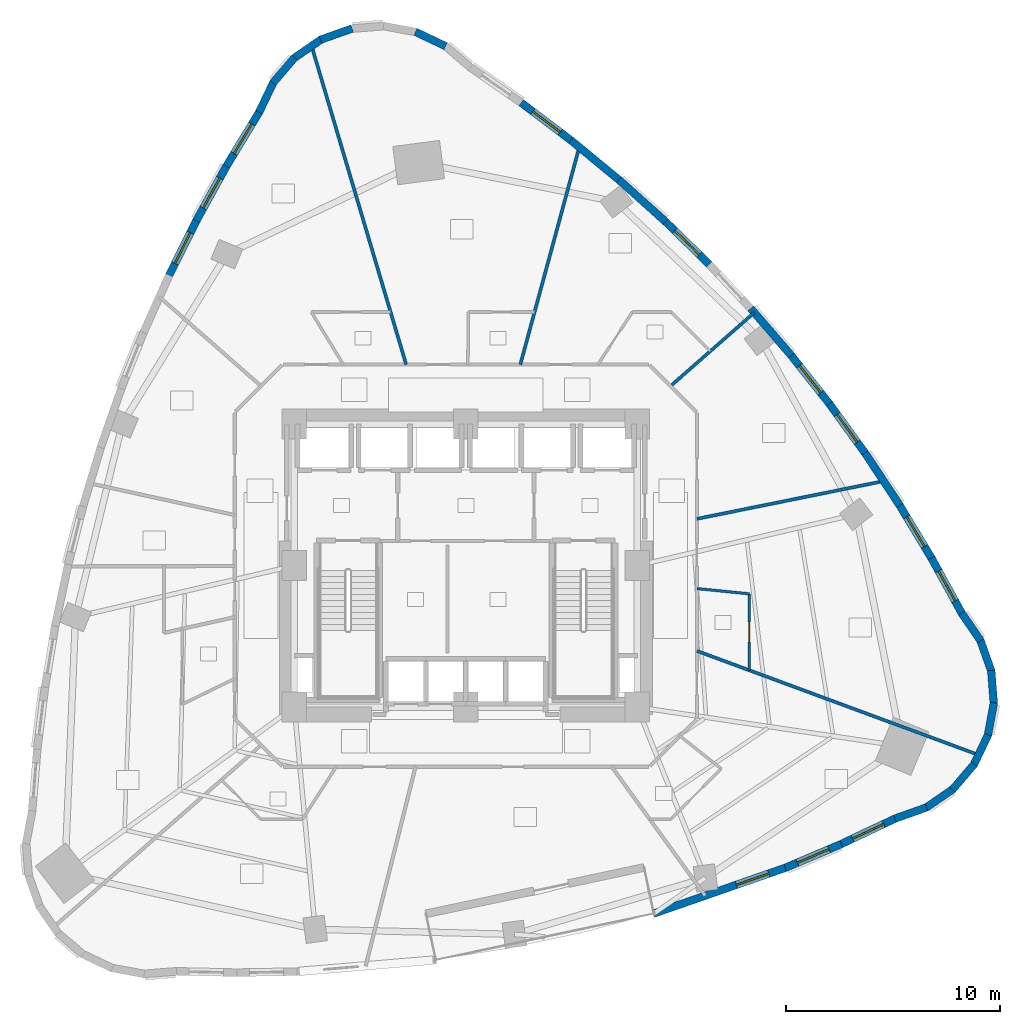
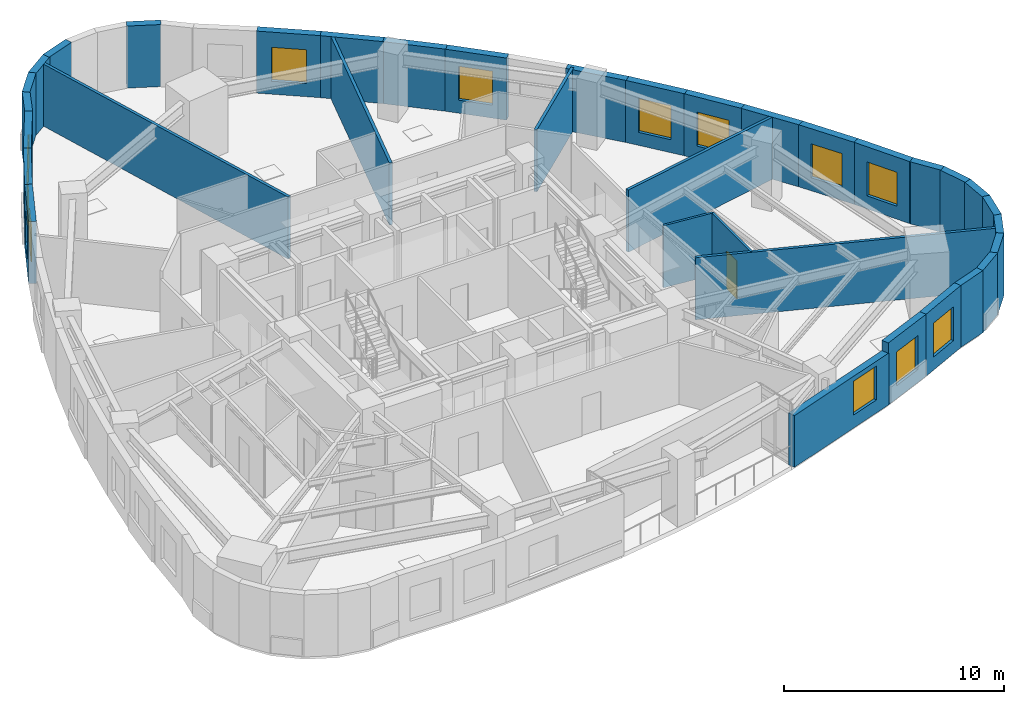
# One storey, part 8 of 12: 36 walls, 12 windows, 1 door, 13 openings.
"""IFC4 building model written with IfcOpenShell, lengths in metres."""

from ifc_helpers import new_model, si_unit, direction, frame, frame_2d, origin, place, context, subcontext, project, spatial, rectangle, extrude, material, layer, layer_set, type_object, element, fill, save


model = new_model("IFC4")

# Units and contexts
model_context = context("Model", 3, precision=1e-05, world=origin(), true_north=direction((0.0, 1.0)))
body_context = subcontext(model_context, "Body", "Model", "MODEL_VIEW")
ifc_project = project(units=[si_unit("LENGTHUNIT", "METRE"), si_unit("AREAUNIT", "SQUARE_METRE"), si_unit("VOLUMEUNIT", "CUBIC_METRE"), si_unit("PLANEANGLEUNIT", "RADIAN"), si_unit("MASSUNIT", "GRAM", prefix="KILO")], contexts=[model_context])

# Site, building, storey
site_placement = place(None, origin())
site = spatial("IfcSite", under=ifc_project, at=site_placement, CompositionType="ELEMENT")
building_placement = place(site_placement, origin())
building = spatial("IfcBuilding", under=site, at=building_placement, Name="Ndelora Gate Hotel", CompositionType="ELEMENT")
storey_placement = place(building_placement, frame((0.0, 0.0, 79.25)))
storey = spatial("IfcBuildingStorey", under=building, at=storey_placement, Name="L19", CompositionType="ELEMENT", Elevation=79.25)

# Walls
ifc_material_1 = material(Name="Clay Brick Masonry", Category="masonry")
ifc_layer_1 = layer(ifc_material_1, 0.360107421875)
ifc_layer_set_1 = layer_set([ifc_layer_1], Name="Clay Brick Masonry")
wall_type_1 = type_object("IfcWallType", Name="WL-BRICK-360", PredefinedType="SOLIDWALL", material=ifc_layer_set_1)
for number, where, z_axis, x_axis, name in (
    (1, (-2.3486328125, 24.90185546875, 0.0), (0.0, 0.0, 1.0), (0.902606480138, -0.430466656099, 0.0), "L19 Tower Brick Pier-and-Spandrel Wall TWR-2"),
    (2, (-6.77490234375, 24.534423828125, 0.0), (0.0, 0.0, 1.0), (0.942618014803, 0.333873146823, 0.0), "L19 Tower Brick Pier-and-Spandrel Wall TWR-5"),
    (3, (-8.019775390625, 23.6708984375, 0.0), (0.0, 0.0, 1.0), (0.824114783412, 0.56642283125, 0.0), "L19 Tower Brick Pier-and-Spandrel Wall TWR-6"),
):
    element("IfcWall", number, at=place(storey_placement, frame(where, z_axis=z_axis, x_axis=x_axis)), inside=storey, type_object=wall_type_1, Name=name, PredefinedType="SOLIDWALL", context=body_context, shape_type="SweptSolid", body=[
        extrude(rectangle(XDim=1.564208984375, YDim=0.360107421875, at=frame_2d((0.7822265625, 0.0))), origin(), (0.0, 0.0, 1.0), 3.43994140625),
    ])
wall_1_placement = place(storey_placement, frame((-8.998779296875, 22.514892578125, 0.0), z_axis=(0.0, 0.0, 1.0), x_axis=(0.649517813113, 0.760346375312, 0.0)))
element("IfcWall", 4, at=wall_1_placement, inside=storey, type_object=wall_type_1, Name="L19 Tower Brick Pier-and-Spandrel Wall TWR-7", PredefinedType="SOLIDWALL", context=body_context, shape_type="SweptSolid", body=[
    extrude(rectangle(XDim=1.56396484375, YDim=0.360107421875, at=frame_2d((0.781982421875, 0.0))), origin(), (0.0, 0.0, 1.0), 3.43994140625),
])
wall_2_placement = place(storey_placement, frame((-9.645263671875, 21.144775390625, 0.0), z_axis=(0.0, 0.0, 1.0), x_axis=(0.43065446152, 0.902516888913, 0.0)))
element("IfcWall", 5, at=wall_2_placement, inside=storey, type_object=wall_type_1, Name="L19 Tower Brick Pier-and-Spandrel Wall TWR-8", PredefinedType="SOLIDWALL", context=body_context, shape_type="SweptSolid", body=[
    extrude(rectangle(XDim=1.564208984375, YDim=0.360107421875, at=frame_2d((0.7822265625, 0.0))), origin(), (0.0, 0.0, 1.0), 3.43994140625),
])

# Wall, opening, window
wall_3_placement = place(storey_placement, frame((-11.170166015625, 18.634521484375, 0.0), z_axis=(0.0, 0.0, 1.0), x_axis=(0.518504575646, 0.855074853469, 0.0)))
wall_3 = element("IfcWall", 6, at=wall_3_placement, inside=storey, type_object=wall_type_1, Name="L19 Tower Brick Pier-and-Spandrel Wall TWR-9", PredefinedType="SOLIDWALL", context=body_context, shape_type="SweptSolid", body=[
    extrude(rectangle(XDim=2.987060546875, YDim=0.360107421875, at=frame_2d((1.49365234375, 0.0))), origin(), (0.0, 0.0, 1.0), 3.43994140625),
])
opening_1_placement = place(wall_3_placement, frame((0.693603515625, 0.0, 0.719970703125)))
opening_1 = element("IfcOpeningElement", 7, at=opening_1_placement, cuts=wall_3, Name="Opening W03", PredefinedType="OPENING", context=body_context, shape_type="SweptSolid", body=[
    extrude(rectangle(XDim=1.60009765625, YDim=1.8798828125, at=frame_2d((0.800048828125, 0.93994140625))), frame((0.0, 0.18994140625, 0.0), z_axis=(0.0, -1.0, 0.0), x_axis=(1.0, 0.0, 0.0)), (0.0, 0.0, 1.0), 0.380126953125),
])
ifc_material_2 = material(Name="Insulated Low-E Double Glazing in Bronze Aluminium Frame", Category="aluminium")
window_type_1 = type_object("IfcWindowType", Name="WN-CORN-2100", PartitioningType="SINGLE_PANEL", PredefinedType="WINDOW", material=ifc_material_2)
window_1_placement = place(opening_1_placement, origin())
window_1 = element("IfcWindow", 8, at=window_1_placement, inside=storey, type_object=window_type_1, Name="L19 Deep-Set Brick-Pier Window W03", OverallHeight=1.8798828125, OverallWidth=1.60009765625, PartitioningType="SINGLE_PANEL", PredefinedType="WINDOW", context=body_context, shape_type="SweptSolid", body=[
    extrude(rectangle(XDim=1.60009765625, YDim=1.8798828125, at=frame_2d((0.800048828125, 0.93994140625))), frame((0.0, 0.030029296875, 0.0), z_axis=(0.0, -1.0, 0.0), x_axis=(1.0, 0.0, 0.0)), (0.0, 0.0, 1.0), 0.06005859375),
])
fill(opening_1, window_1)

wall_4_placement = place(storey_placement, frame((-12.575927734375, 16.0849609375, 0.0), z_axis=(0.0, 0.0, 1.0), x_axis=(0.483184128778, 0.875518759192, 0.0)))
wall_4 = element("IfcWall", 9, at=wall_4_placement, inside=storey, type_object=wall_type_1, Name="L19 Tower Brick Pier-and-Spandrel Wall TWR-10", PredefinedType="SOLIDWALL", context=body_context, shape_type="SweptSolid", body=[
    extrude(rectangle(XDim=2.96142578125, YDim=0.360107421875, at=frame_2d((1.480712890625, 0.0))), origin(), (0.0, 0.0, 1.0), 3.43994140625),
])
opening_2_placement = place(wall_4_placement, frame((0.6806640625, 0.0, 0.719970703125)))
opening_2 = element("IfcOpeningElement", 10, at=opening_2_placement, cuts=wall_4, Name="Opening W01", PredefinedType="OPENING", context=body_context, shape_type="SweptSolid", body=[
    extrude(rectangle(XDim=1.60009765625, YDim=1.8798828125, at=frame_2d((0.800048828125, 0.93994140625))), frame((0.0, 0.18994140625, 0.0), z_axis=(0.0, -1.0, 0.0), x_axis=(1.0, 0.0, 0.0)), (0.0, 0.0, 1.0), 0.380126953125),
])
window_type_2 = type_object("IfcWindowType", Name="WN-DEEP-1600", PartitioningType="SINGLE_PANEL", PredefinedType="WINDOW", material=ifc_material_2)
window_2_placement = place(opening_2_placement, origin())
window_2 = element("IfcWindow", 11, at=window_2_placement, inside=storey, type_object=window_type_2, Name="L19 Deep-Set Brick-Pier Window W01", OverallHeight=1.8798828125, OverallWidth=1.60009765625, PartitioningType="SINGLE_PANEL", PredefinedType="WINDOW", context=body_context, shape_type="SweptSolid", body=[
    extrude(rectangle(XDim=1.60009765625, YDim=1.8798828125, at=frame_2d((0.800048828125, 0.93994140625))), frame((0.0, 0.030029296875, 0.0), z_axis=(0.0, -1.0, 0.0), x_axis=(1.0, 0.0, 0.0)), (0.0, 0.0, 1.0), 0.06005859375),
])
fill(opening_2, window_2)

wall_5_placement = place(storey_placement, frame((-13.865234375, 13.49755859375, 0.0), z_axis=(0.0, 0.0, 1.0), x_axis=(0.446383231338, 0.894841891499, 0.0)))
wall_5 = element("IfcWall", 12, at=wall_5_placement, inside=storey, type_object=wall_type_1, Name="L19 Tower Brick Pier-and-Spandrel Wall TWR-11", PredefinedType="SOLIDWALL", context=body_context, shape_type="SweptSolid", body=[
    extrude(rectangle(XDim=2.94091796875, YDim=0.360107421875, at=frame_2d((1.470458984375, 0.0))), origin(), (0.0, 0.0, 1.0), 3.43994140625),
])
opening_3_placement = place(wall_5_placement, frame((0.67041015625, 0.0, 0.719970703125)))
opening_3 = element("IfcOpeningElement", 13, at=opening_3_placement, cuts=wall_5, Name="Opening W01", PredefinedType="OPENING", context=body_context, shape_type="SweptSolid", body=[
    extrude(rectangle(XDim=1.60009765625, YDim=1.8798828125, at=frame_2d((0.800048828125, 0.93994140625))), frame((0.0, 0.18994140625, 0.0), z_axis=(0.0, -1.0, 0.0), x_axis=(1.0, 0.0, 0.0)), (0.0, 0.0, 1.0), 0.380126953125),
])
window_3_placement = place(opening_3_placement, origin())
window_3 = element("IfcWindow", 14, at=window_3_placement, inside=storey, type_object=window_type_2, Name="L19 Deep-Set Brick-Pier Window W01", OverallHeight=1.8798828125, OverallWidth=1.60009765625, PartitioningType="SINGLE_PANEL", PredefinedType="WINDOW", context=body_context, shape_type="SweptSolid", body=[
    extrude(rectangle(XDim=1.60009765625, YDim=1.8798828125, at=frame_2d((0.800048828125, 0.93994140625))), frame((0.0, 0.030029296875, 0.0), z_axis=(0.0, -1.0, 0.0), x_axis=(1.0, 0.0, 0.0)), (0.0, 0.0, 1.0), 0.06005859375),
])
fill(opening_3, window_3)

wall_6_placement = place(storey_placement, frame((14.9443359375, -14.084228515625, 0.0), z_axis=(0.0, 0.0, 1.0), x_axis=(-0.944459669929, -0.328627344993, 0.0)))
wall_6 = element("IfcWall", 15, at=wall_6_placement, inside=storey, type_object=wall_type_1, Name="L19 Tower Brick Pier-and-Spandrel Wall TWR-36", PredefinedType="SOLIDWALL", context=body_context, shape_type="SweptSolid", body=[
    extrude(rectangle(XDim=6.56591796875, YDim=0.360107421875, at=frame_2d((3.282958984375, 0.0))), origin(), (0.0, 0.0, 1.0), 2.8701171875),
])
opening_4_placement = place(wall_6_placement, frame((0.860107421875, 0.0, 0.719970703125)))
opening_4 = element("IfcOpeningElement", 16, at=opening_4_placement, cuts=wall_6, Name="Opening W01", PredefinedType="OPENING", context=body_context, shape_type="SweptSolid", body=[
    extrude(rectangle(XDim=1.60009765625, YDim=1.8798828125, at=frame_2d((0.800048828125, 0.93994140625))), frame((0.0, 0.18994140625, 0.0), z_axis=(0.0, -1.0, 0.0), x_axis=(1.0, 0.0, 0.0)), (0.0, 0.0, 1.0), 0.380126953125),
])
window_4_placement = place(opening_4_placement, origin())
window_4 = element("IfcWindow", 17, at=window_4_placement, inside=storey, type_object=window_type_2, Name="L19 Deep-Set Brick-Pier Window W01", OverallHeight=1.8798828125, OverallWidth=1.60009765625, PartitioningType="SINGLE_PANEL", PredefinedType="WINDOW", context=body_context, shape_type="SweptSolid", body=[
    extrude(rectangle(XDim=1.60009765625, YDim=1.8798828125, at=frame_2d((0.800048828125, 0.93994140625))), frame((0.0, 0.030029296875, 0.0), z_axis=(0.0, -1.0, 0.0), x_axis=(1.0, 0.0, 0.0)), (0.0, 0.0, 1.0), 0.06005859375),
])
fill(opening_4, window_4)

wall_7_placement = place(storey_placement, frame((17.517333984375, -12.988525390625, 0.0), z_axis=(0.0, 0.0, 1.0), x_axis=(-0.920276879824, -0.391267765681, 0.0)))
wall_7 = element("IfcWall", 18, at=wall_7_placement, inside=storey, type_object=wall_type_1, Name="L19 Tower Brick Pier-and-Spandrel Wall TWR-37", PredefinedType="SOLIDWALL", context=body_context, shape_type="SweptSolid", body=[
    extrude(rectangle(XDim=2.8466796875, YDim=0.360107421875, at=frame_2d((1.42333984375, 0.0))), origin(), (0.0, 0.0, 1.0), 3.43994140625),
])
opening_5_placement = place(wall_7_placement, frame((0.623291015625, 0.0, 0.719970703125)))
opening_5 = element("IfcOpeningElement", 19, at=opening_5_placement, cuts=wall_7, Name="Opening W03", PredefinedType="OPENING", context=body_context, shape_type="SweptSolid", body=[
    extrude(rectangle(XDim=1.60009765625, YDim=1.8798828125, at=frame_2d((0.800048828125, 0.93994140625))), frame((0.0, 0.18994140625, 0.0), z_axis=(0.0, -1.0, 0.0), x_axis=(1.0, 0.0, 0.0)), (0.0, 0.0, 1.0), 0.380126953125),
])
window_5_placement = place(opening_5_placement, origin())
window_5 = element("IfcWindow", 20, at=window_5_placement, inside=storey, type_object=window_type_1, Name="L19 Deep-Set Brick-Pier Window W03", OverallHeight=1.8798828125, OverallWidth=1.60009765625, PartitioningType="SINGLE_PANEL", PredefinedType="WINDOW", context=body_context, shape_type="SweptSolid", body=[
    extrude(rectangle(XDim=1.60009765625, YDim=1.8798828125, at=frame_2d((0.800048828125, 0.93994140625))), frame((0.0, 0.030029296875, 0.0), z_axis=(0.0, -1.0, 0.0), x_axis=(1.0, 0.0, 0.0)), (0.0, 0.0, 1.0), 0.06005859375),
])
fill(opening_5, window_5)

wall_8_placement = place(storey_placement, frame((20.06689453125, -11.783447265625, 0.0), z_axis=(0.0, 0.0, 1.0), x_axis=(-0.904239522863, -0.427025626037, 0.0)))
wall_8 = element("IfcWall", 21, at=wall_8_placement, inside=storey, type_object=wall_type_1, Name="L19 Tower Brick Pier-and-Spandrel Wall TWR-38", PredefinedType="SOLIDWALL", context=body_context, shape_type="SweptSolid", body=[
    extrude(rectangle(XDim=2.8701171875, YDim=0.360107421875, at=frame_2d((1.43505859375, 0.0))), origin(), (0.0, 0.0, 1.0), 3.43994140625),
])
opening_6_placement = place(wall_8_placement, frame((0.635009765625, 0.0, 0.719970703125)))
opening_6 = element("IfcOpeningElement", 22, at=opening_6_placement, cuts=wall_8, Name="Opening W01", PredefinedType="OPENING", context=body_context, shape_type="SweptSolid", body=[
    extrude(rectangle(XDim=1.60009765625, YDim=1.8798828125, at=frame_2d((0.800048828125, 0.93994140625))), frame((0.0, 0.18994140625, 0.0), z_axis=(0.0, -1.0, 0.0), x_axis=(1.0, 0.0, 0.0)), (0.0, 0.0, 1.0), 0.380126953125),
])
window_6_placement = place(opening_6_placement, origin())
window_6 = element("IfcWindow", 23, at=window_6_placement, inside=storey, type_object=window_type_2, Name="L19 Deep-Set Brick-Pier Window W01", OverallHeight=1.8798828125, OverallWidth=1.60009765625, PartitioningType="SINGLE_PANEL", PredefinedType="WINDOW", context=body_context, shape_type="SweptSolid", body=[
    extrude(rectangle(XDim=1.60009765625, YDim=1.8798828125, at=frame_2d((0.800048828125, 0.93994140625))), frame((0.0, 0.030029296875, 0.0), z_axis=(0.0, -1.0, 0.0), x_axis=(1.0, 0.0, 0.0)), (0.0, 0.0, 1.0), 0.06005859375),
])
fill(opening_6, window_6)

# Walls
wall_9_placement = place(storey_placement, frame((21.4951171875, -11.280517578125, 0.0), z_axis=(0.0, 0.0, 1.0), x_axis=(-0.942667130503, -0.333734446931, 0.0)))
element("IfcWall", 24, at=wall_9_placement, inside=storey, type_object=wall_type_1, Name="L19 Tower Brick Pier-and-Spandrel Wall TWR-39", PredefinedType="SOLIDWALL", context=body_context, shape_type="SweptSolid", body=[
    extrude(rectangle(XDim=1.56396484375, YDim=0.360107421875, at=frame_2d((0.781982421875, 0.0))), origin(), (0.0, 0.0, 1.0), 3.43994140625),
])
wall_10_placement = place(storey_placement, frame((22.739990234375, -10.4169921875, 0.0), z_axis=(0.0, 0.0, 1.0), x_axis=(-0.824114783412, -0.56642283125, 0.0)))
element("IfcWall", 25, at=wall_10_placement, inside=storey, type_object=wall_type_1, Name="L19 Tower Brick Pier-and-Spandrel Wall TWR-40", PredefinedType="SOLIDWALL", context=body_context, shape_type="SweptSolid", body=[
    extrude(rectangle(XDim=1.564208984375, YDim=0.360107421875, at=frame_2d((0.7822265625, 0.0))), origin(), (0.0, 0.0, 1.0), 3.43994140625),
])
wall_11_placement = place(storey_placement, frame((23.718994140625, -9.260986328125, 0.0), z_axis=(0.0, 0.0, 1.0), x_axis=(-0.649517813113, -0.760346375312, 0.0)))
element("IfcWall", 26, at=wall_11_placement, inside=storey, type_object=wall_type_1, Name="L19 Tower Brick Pier-and-Spandrel Wall TWR-41", PredefinedType="SOLIDWALL", context=body_context, shape_type="SweptSolid", body=[
    extrude(rectangle(XDim=1.56396484375, YDim=0.360107421875, at=frame_2d((0.781982421875, 0.0))), origin(), (0.0, 0.0, 1.0), 3.43994140625),
])
for number, where, z_axis, x_axis, name in (
    (27, (24.365234375, -7.890625, 0.0), (0.0, 0.0, 1.0), (-0.430466656099, -0.902606480138, 0.0), "L19 Tower Brick Pier-and-Spandrel Wall TWR-42"),
    (28, (24.635009765625, -6.39990234375, 0.0), (0.0, 0.0, 1.0), (-0.18229045082, -0.983244726169, 0.0), "L19 Tower Brick Pier-and-Spandrel Wall TWR-43"),
    (29, (24.509521484375, -4.89013671875, 0.0), (0.0, 0.0, 1.0), (0.078510627557, -0.99691327675, 0.0), "L19 Tower Brick Pier-and-Spandrel Wall TWR-44"),
):
    element("IfcWall", number, at=place(storey_placement, frame(where, z_axis=z_axis, x_axis=x_axis)), inside=storey, type_object=wall_type_1, Name=name, PredefinedType="SOLIDWALL", context=body_context, shape_type="SweptSolid", body=[
        extrude(rectangle(XDim=1.564208984375, YDim=0.360107421875, at=frame_2d((0.7822265625, 0.0))), origin(), (0.0, 0.0, 1.0), 3.43994140625),
    ])
wall_12_placement = place(storey_placement, frame((23.997802734375, -3.464111328125, 0.0), z_axis=(0.0, 0.0, 1.0), x_axis=(0.333824030251, -0.94263541034, 0.0)))
element("IfcWall", 30, at=wall_12_placement, inside=storey, type_object=wall_type_1, Name="L19 Tower Brick Pier-and-Spandrel Wall TWR-45", PredefinedType="SOLIDWALL", context=body_context, shape_type="SweptSolid", body=[
    extrude(rectangle(XDim=1.564453125, YDim=0.360107421875, at=frame_2d((0.7822265625, 0.0))), origin(), (0.0, 0.0, 1.0), 3.43994140625),
])
wall_13_placement = place(storey_placement, frame((23.134521484375, -2.219482421875, 0.0), z_axis=(0.0, 0.0, 1.0), x_axis=(0.566495697246, -0.824064697097, 0.0)))
element("IfcWall", 31, at=wall_13_placement, inside=storey, type_object=wall_type_1, Name="L19 Tower Brick Pier-and-Spandrel Wall TWR-46", PredefinedType="SOLIDWALL", context=body_context, shape_type="SweptSolid", body=[
    extrude(rectangle(XDim=1.56396484375, YDim=0.360107421875, at=frame_2d((0.781982421875, 0.0))), origin(), (0.0, 0.0, 1.0), 3.43994140625),
])

# Wall, opening, window
wall_14_placement = place(storey_placement, frame((21.72314453125, 0.3564453125, 0.0), z_axis=(0.0, 0.0, 1.0), x_axis=(0.481244034987, -0.876586663593, 0.0)))
wall_14 = element("IfcWall", 32, at=wall_14_placement, inside=storey, type_object=wall_type_1, Name="L19 Tower Brick Pier-and-Spandrel Wall TWR-47", PredefinedType="SOLIDWALL", context=body_context, shape_type="SweptSolid", body=[
    extrude(rectangle(XDim=2.987060546875, YDim=0.360107421875, at=frame_2d((1.49365234375, 0.0))), origin(), (0.0, 0.0, 1.0), 3.43994140625),
])
opening_7_placement = place(wall_14_placement, frame((0.693603515625, 0.0, 0.719970703125)))
opening_7 = element("IfcOpeningElement", 33, at=opening_7_placement, cuts=wall_14, Name="Opening W01", PredefinedType="OPENING", context=body_context, shape_type="SweptSolid", body=[
    extrude(rectangle(XDim=1.60009765625, YDim=1.8798828125, at=frame_2d((0.800048828125, 0.93994140625))), frame((0.0, 0.18994140625, 0.0), z_axis=(0.0, -1.0, 0.0), x_axis=(1.0, 0.0, 0.0)), (0.0, 0.0, 1.0), 0.380126953125),
])
window_7_placement = place(opening_7_placement, origin())
window_7 = element("IfcWindow", 34, at=window_7_placement, inside=storey, type_object=window_type_2, Name="L19 Deep-Set Brick-Pier Window W01", OverallHeight=1.8798828125, OverallWidth=1.60009765625, PartitioningType="SINGLE_PANEL", PredefinedType="WINDOW", context=body_context, shape_type="SweptSolid", body=[
    extrude(rectangle(XDim=1.60009765625, YDim=1.8798828125, at=frame_2d((0.800048828125, 0.93994140625))), frame((0.0, 0.030029296875, 0.0), z_axis=(0.0, -1.0, 0.0), x_axis=(1.0, 0.0, 0.0)), (0.0, 0.0, 1.0), 0.06005859375),
])
fill(opening_7, window_7)

wall_15_placement = place(storey_placement, frame((20.218017578125, 2.848388671875, 0.0), z_axis=(0.0, 0.0, 1.0), x_axis=(0.516676429869, -0.856180744246, 0.0)))
wall_15 = element("IfcWall", 35, at=wall_15_placement, inside=storey, type_object=wall_type_1, Name="L19 Tower Brick Pier-and-Spandrel Wall TWR-48", PredefinedType="SOLIDWALL", context=body_context, shape_type="SweptSolid", body=[
    extrude(rectangle(XDim=2.961181640625, YDim=0.360107421875, at=frame_2d((1.48046875, 0.0))), origin(), (0.0, 0.0, 1.0), 3.43994140625),
])
opening_8_placement = place(wall_15_placement, frame((0.6806640625, 0.0, 0.719970703125)))
opening_8 = element("IfcOpeningElement", 36, at=opening_8_placement, cuts=wall_15, Name="Opening W01", PredefinedType="OPENING", context=body_context, shape_type="SweptSolid", body=[
    extrude(rectangle(XDim=1.60009765625, YDim=1.8798828125, at=frame_2d((0.800048828125, 0.93994140625))), frame((0.0, 0.18994140625, 0.0), z_axis=(0.0, -1.0, 0.0), x_axis=(1.0, 0.0, 0.0)), (0.0, 0.0, 1.0), 0.380126953125),
])
window_8_placement = place(opening_8_placement, origin())
window_8 = element("IfcWindow", 37, at=window_8_placement, inside=storey, type_object=window_type_2, Name="L19 Deep-Set Brick-Pier Window W01", OverallHeight=1.8798828125, OverallWidth=1.60009765625, PartitioningType="SINGLE_PANEL", PredefinedType="WINDOW", context=body_context, shape_type="SweptSolid", body=[
    extrude(rectangle(XDim=1.60009765625, YDim=1.8798828125, at=frame_2d((0.800048828125, 0.93994140625))), frame((0.0, 0.030029296875, 0.0), z_axis=(0.0, -1.0, 0.0), x_axis=(1.0, 0.0, 0.0)), (0.0, 0.0, 1.0), 0.06005859375),
])
fill(opening_8, window_8)

# Wall
wall_16_placement = place(storey_placement, frame((18.621826171875, 5.2587890625, 0.0), z_axis=(0.0, 0.0, 1.0), x_axis=(0.55184227767, -0.833948499954, 0.0)))
element("IfcWall", 38, at=wall_16_placement, inside=storey, type_object=wall_type_1, Name="L19 Tower Brick Pier-and-Spandrel Wall TWR-49", PredefinedType="SOLIDWALL", context=body_context, shape_type="SweptSolid", body=[
    extrude(rectangle(XDim=2.940673828125, YDim=0.360107421875, at=frame_2d((1.47021484375, 0.0))), origin(), (0.0, 0.0, 1.0), 3.43994140625),
])

# Wall, opening, window
wall_17_placement = place(storey_placement, frame((16.93505859375, 7.58740234375, 0.0), z_axis=(0.0, 0.0, 1.0), x_axis=(0.586373875889, -0.81004054076, 0.0)))
wall_17 = element("IfcWall", 39, at=wall_17_placement, inside=storey, type_object=wall_type_1, Name="L19 Tower Brick Pier-and-Spandrel Wall TWR-50", PredefinedType="SOLIDWALL", context=body_context, shape_type="SweptSolid", body=[
    extrude(rectangle(XDim=2.92529296875, YDim=0.360107421875, at=frame_2d((1.462646484375, 0.0))), origin(), (0.0, 0.0, 1.0), 3.43994140625),
])
opening_9_placement = place(wall_17_placement, frame((0.66259765625, 0.0, 0.719970703125)))
opening_9 = element("IfcOpeningElement", 40, at=opening_9_placement, cuts=wall_17, Name="Opening W01", PredefinedType="OPENING", context=body_context, shape_type="SweptSolid", body=[
    extrude(rectangle(XDim=1.60009765625, YDim=1.8798828125, at=frame_2d((0.800048828125, 0.93994140625))), frame((0.0, 0.18994140625, 0.0), z_axis=(0.0, -1.0, 0.0), x_axis=(1.0, 0.0, 0.0)), (0.0, 0.0, 1.0), 0.380126953125),
])
window_9_placement = place(opening_9_placement, origin())
window_9 = element("IfcWindow", 41, at=window_9_placement, inside=storey, type_object=window_type_2, Name="L19 Deep-Set Brick-Pier Window W01", OverallHeight=1.8798828125, OverallWidth=1.60009765625, PartitioningType="SINGLE_PANEL", PredefinedType="WINDOW", context=body_context, shape_type="SweptSolid", body=[
    extrude(rectangle(XDim=1.60009765625, YDim=1.8798828125, at=frame_2d((0.800048828125, 0.93994140625))), frame((0.0, 0.030029296875, 0.0), z_axis=(0.0, -1.0, 0.0), x_axis=(1.0, 0.0, 0.0)), (0.0, 0.0, 1.0), 0.06005859375),
])
fill(opening_9, window_9)

wall_18_placement = place(storey_placement, frame((15.157470703125, 9.833984375, 0.0), z_axis=(0.0, 0.0, 1.0), x_axis=(0.62019003534, -0.784451604667, 0.0)))
wall_18 = element("IfcWall", 42, at=wall_18_placement, inside=storey, type_object=wall_type_1, Name="L19 Tower Brick Pier-and-Spandrel Wall TWR-51", PredefinedType="SOLIDWALL", context=body_context, shape_type="SweptSolid", body=[
    extrude(rectangle(XDim=2.91455078125, YDim=0.360107421875, at=frame_2d((1.457275390625, 0.0))), origin(), (0.0, 0.0, 1.0), 3.43994140625),
])
opening_10_placement = place(wall_18_placement, frame((0.657470703125, 0.0, 0.719970703125)))
opening_10 = element("IfcOpeningElement", 43, at=opening_10_placement, cuts=wall_18, Name="Opening W01", PredefinedType="OPENING", context=body_context, shape_type="SweptSolid", body=[
    extrude(rectangle(XDim=1.60009765625, YDim=1.8798828125, at=frame_2d((0.800048828125, 0.93994140625))), frame((0.0, 0.18994140625, 0.0), z_axis=(0.0, -1.0, 0.0), x_axis=(1.0, 0.0, 0.0)), (0.0, 0.0, 1.0), 0.380126953125),
])
window_10_placement = place(opening_10_placement, origin())
window_10 = element("IfcWindow", 44, at=window_10_placement, inside=storey, type_object=window_type_2, Name="L19 Deep-Set Brick-Pier Window W01", OverallHeight=1.8798828125, OverallWidth=1.60009765625, PartitioningType="SINGLE_PANEL", PredefinedType="WINDOW", context=body_context, shape_type="SweptSolid", body=[
    extrude(rectangle(XDim=1.60009765625, YDim=1.8798828125, at=frame_2d((0.800048828125, 0.93994140625))), frame((0.0, 0.030029296875, 0.0), z_axis=(0.0, -1.0, 0.0), x_axis=(1.0, 0.0, 0.0)), (0.0, 0.0, 1.0), 0.06005859375),
])
fill(opening_10, window_10)

# Wall
wall_19_placement = place(storey_placement, frame((13.288818359375, 11.9990234375, 0.0), z_axis=(0.0, 0.0, 1.0), x_axis=(0.653123840967, -0.757251113146, 0.0)))
element("IfcWall", 45, at=wall_19_placement, inside=storey, type_object=wall_type_1, Name="L19 Tower Brick Pier-and-Spandrel Wall TWR-52", PredefinedType="SOLIDWALL", context=body_context, shape_type="SweptSolid", body=[
    extrude(rectangle(XDim=2.90966796875, YDim=0.360107421875, at=frame_2d((1.454833984375, 0.0))), origin(), (0.0, 0.0, 1.0), 3.43994140625),
])

# Wall, opening, window
wall_20_placement = place(storey_placement, frame((9.279541015625, 16.083251953125, 0.0), z_axis=(0.0, 0.0, 1.0), x_axis=(0.715308991841, -0.698808304324, 0.0)))
wall_20 = element("IfcWall", 46, at=wall_20_placement, inside=storey, type_object=wall_type_1, Name="L19 Tower Brick Pier-and-Spandrel Wall TWR-54", PredefinedType="SOLIDWALL", context=body_context, shape_type="SweptSolid", body=[
    extrude(rectangle(XDim=2.914794921875, YDim=0.360107421875, at=frame_2d((1.45751953125, 0.0))), origin(), (0.0, 0.0, 1.0), 3.43994140625),
])
opening_11_placement = place(wall_20_placement, frame((0.657470703125, 0.0, 0.719970703125)))
opening_11 = element("IfcOpeningElement", 47, at=opening_11_placement, cuts=wall_20, Name="Opening W01", PredefinedType="OPENING", context=body_context, shape_type="SweptSolid", body=[
    extrude(rectangle(XDim=1.60009765625, YDim=1.8798828125, at=frame_2d((0.800048828125, 0.93994140625))), frame((0.0, 0.18994140625, 0.0), z_axis=(0.0, -1.0, 0.0), x_axis=(1.0, 0.0, 0.0)), (0.0, 0.0, 1.0), 0.380126953125),
])
window_11_placement = place(opening_11_placement, origin())
window_11 = element("IfcWindow", 48, at=window_11_placement, inside=storey, type_object=window_type_2, Name="L19 Deep-Set Brick-Pier Window W01", OverallHeight=1.8798828125, OverallWidth=1.60009765625, PartitioningType="SINGLE_PANEL", PredefinedType="WINDOW", context=body_context, shape_type="SweptSolid", body=[
    extrude(rectangle(XDim=1.60009765625, YDim=1.8798828125, at=frame_2d((0.800048828125, 0.93994140625))), frame((0.0, 0.030029296875, 0.0), z_axis=(0.0, -1.0, 0.0), x_axis=(1.0, 0.0, 0.0)), (0.0, 0.0, 1.0), 0.06005859375),
])
fill(opening_11, window_11)

# Walls
wall_21_placement = place(storey_placement, frame((7.138671875, 18.002685546875, 0.0), z_axis=(0.0, 0.0, 1.0), x_axis=(0.744297597045, -0.667848101767, 0.0)))
element("IfcWall", 49, at=wall_21_placement, inside=storey, type_object=wall_type_1, Name="L19 Tower Brick Pier-and-Spandrel Wall TWR-55", PredefinedType="SOLIDWALL", context=body_context, shape_type="SweptSolid", body=[
    extrude(rectangle(XDim=2.92529296875, YDim=0.360107421875, at=frame_2d((1.462646484375, 0.0))), origin(), (0.0, 0.0, 1.0), 3.43994140625),
])
wall_22_placement = place(storey_placement, frame((4.906982421875, 19.84033203125, 0.0), z_axis=(0.0, 0.0, 1.0), x_axis=(0.771748074842, -0.635928383529, 0.0)))
element("IfcWall", 50, at=wall_22_placement, inside=storey, type_object=wall_type_1, Name="L19 Tower Brick Pier-and-Spandrel Wall TWR-56", PredefinedType="SOLIDWALL", context=body_context, shape_type="SweptSolid", body=[
    extrude(rectangle(XDim=2.940673828125, YDim=0.360107421875, at=frame_2d((1.47021484375, 0.0))), origin(), (0.0, 0.0, 1.0), 3.43994140625),
])

# Wall, opening, window
wall_23_placement = place(storey_placement, frame((2.584716796875, 21.59619140625, 0.0), z_axis=(0.0, 0.0, 1.0), x_axis=(0.797450341729, -0.603384580907, 0.0)))
wall_23 = element("IfcWall", 51, at=wall_23_placement, inside=storey, type_object=wall_type_1, Name="L19 Tower Brick Pier-and-Spandrel Wall TWR-57", PredefinedType="SOLIDWALL", context=body_context, shape_type="SweptSolid", body=[
    extrude(rectangle(XDim=2.96142578125, YDim=0.360107421875, at=frame_2d((1.480712890625, 0.0))), origin(), (0.0, 0.0, 1.0), 3.43994140625),
])
opening_12_placement = place(wall_23_placement, frame((0.6806640625, 0.0, 0.719970703125)))
opening_12 = element("IfcOpeningElement", 52, at=opening_12_placement, cuts=wall_23, Name="Opening W03", PredefinedType="OPENING", context=body_context, shape_type="SweptSolid", body=[
    extrude(rectangle(XDim=1.60009765625, YDim=1.8798828125, at=frame_2d((0.800048828125, 0.93994140625))), frame((0.0, 0.18994140625, 0.0), z_axis=(0.0, -1.0, 0.0), x_axis=(1.0, 0.0, 0.0)), (0.0, 0.0, 1.0), 0.380126953125),
])
window_12_placement = place(opening_12_placement, origin())
window_12 = element("IfcWindow", 53, at=window_12_placement, inside=storey, type_object=window_type_1, Name="L19 Deep-Set Brick-Pier Window W03", OverallHeight=1.8798828125, OverallWidth=1.60009765625, PartitioningType="SINGLE_PANEL", PredefinedType="WINDOW", context=body_context, shape_type="SweptSolid", body=[
    extrude(rectangle(XDim=1.60009765625, YDim=1.8798828125, at=frame_2d((0.800048828125, 0.93994140625))), frame((0.0, 0.030029296875, 0.0), z_axis=(0.0, -1.0, 0.0), x_axis=(1.0, 0.0, 0.0)), (0.0, 0.0, 1.0), 0.06005859375),
])
fill(opening_12, window_12)

# Walls
ifc_material_3 = material(Name="Fire-Rated Gypsum Stud Partition", Category="gypsum")
ifc_layer_2 = layer(ifc_material_3, 0.14990234375)
ifc_layer_set_2 = layer_set([ifc_layer_2], Name="Fire-Rated Gypsum Stud Partition")
wall_type_2 = type_object("IfcWallType", Name="WL-PART-150", PredefinedType="PARTITIONING", material=ifc_layer_set_2)
wall_24_placement = place(storey_placement, frame((10.780029296875, -3.97998046875, 0.0), z_axis=(0.0, 0.0, 1.0), x_axis=(0.938109546053, -0.346338677604, 0.0)))
element("IfcWall", 54, at=wall_24_placement, inside=storey, type_object=wall_type_2, Name="L19 Interior Wall IW-5", PredefinedType="PARTITIONING", context=body_context, shape_type="SweptSolid", body=[
    extrude(rectangle(XDim=14.00390625, YDim=0.14990234375, at=frame_2d((7.001953125, 0.0))), origin(), (0.0, 0.0, 1.0), 3.43994140625),
])
wall_25_placement = place(storey_placement, frame((10.780029296875, 2.180419921875, 0.0), z_axis=(0.0, 0.0, 1.0), x_axis=(0.980159069469, 0.198212508528, 0.0)))
element("IfcWall", 55, at=wall_25_placement, inside=storey, type_object=wall_type_2, Name="L19 Interior Wall IW-5", PredefinedType="PARTITIONING", context=body_context, shape_type="SweptSolid", body=[
    extrude(rectangle(XDim=8.88916015625, YDim=0.14990234375, at=frame_2d((4.444580078125, 0.0))), origin(), (0.0, 0.0, 1.0), 3.43994140625),
])
wall_26_placement = place(storey_placement, frame((9.552490234375, 8.37744140625, 0.0), z_axis=(0.0, 0.0, 1.0), x_axis=(0.751836766188, 0.659349283012, 0.0)))
element("IfcWall", 56, at=wall_26_placement, inside=storey, type_object=wall_type_2, Name="L19 Interior Wall IW-5", PredefinedType="PARTITIONING", context=body_context, shape_type="SweptSolid", body=[
    extrude(rectangle(XDim=5.195068359375, YDim=0.14990234375, at=frame_2d((2.59765625, 0.0))), origin(), (0.0, 0.0, 1.0), 3.43994140625),
])
wall_27_placement = place(storey_placement, frame((2.543212890625, 9.3798828125, 0.0), z_axis=(0.0, 0.0, 1.0), x_axis=(0.26169188867, 0.965151467597, 0.0)))
element("IfcWall", 57, at=wall_27_placement, inside=storey, type_object=wall_type_2, Name="L19 Interior Wall IW-5", PredefinedType="PARTITIONING", context=body_context, shape_type="SweptSolid", body=[
    extrude(rectangle(XDim=10.508544921875, YDim=0.14990234375, at=frame_2d((5.25439453125, 0.0))), origin(), (0.0, 0.0, 1.0), 3.43994140625),
])
wall_28_placement = place(storey_placement, frame((-2.783447265625, 9.3798828125, 0.0), z_axis=(0.0, 0.0, 1.0), x_axis=(-0.284496959379, 0.958676942512, 0.0)))
element("IfcWall", 58, at=wall_28_placement, inside=storey, type_object=wall_type_2, Name="L19 Interior Wall IW-5", PredefinedType="PARTITIONING", context=body_context, shape_type="SweptSolid", body=[
    extrude(rectangle(XDim=15.499755859375, YDim=0.14990234375, at=frame_2d((7.75, 0.0))), origin(), (0.0, 0.0, 1.0), 3.43994140625),
])
ifc_material_4 = material(Name="Moisture-Resistant Bathroom Tile Partition", Category="gypsum")
ifc_layer_3 = layer(ifc_material_4, 0.1201171875)
ifc_layer_set_3 = layer_set([ifc_layer_3], Name="Moisture-Resistant Bathroom Tile Partition")
wall_type_3 = type_object("IfcWallType", Name="WL-WET-120", PredefinedType="PARTITIONING", material=ifc_layer_set_3)
wall_29_placement = place(storey_placement, frame((13.22998046875, -1.316650390625, 0.0), z_axis=(0.0, 0.0, 1.0), x_axis=(-0.995081272799, 0.099061902494, 0.0)))
element("IfcWall", 59, at=wall_29_placement, inside=storey, type_object=wall_type_3, Name="L19 Interior Wall IW-7", PredefinedType="PARTITIONING", context=body_context, shape_type="SweptSolid", body=[
    extrude(rectangle(XDim=2.462158203125, YDim=0.1201171875, at=frame_2d((1.23095703125, 0.0))), origin(), (0.0, 0.0, 1.0), 3.43994140625),
])

# Wall, opening, door
wall_30_placement = place(storey_placement, frame((13.22998046875, -1.316650390625, 0.0), z_axis=(0.0, 0.0, 1.0), x_axis=(0.0, -1.0, 0.0)))
wall_30 = element("IfcWall", 60, at=wall_30_placement, inside=storey, type_object=wall_type_3, Name="L19 Interior Wall IW-7", PredefinedType="PARTITIONING", context=body_context, shape_type="SweptSolid", body=[
    extrude(rectangle(XDim=3.56787109375, YDim=0.1201171875, at=frame_2d((1.783935546875, 0.0))), origin(), (0.0, 0.0, 1.0), 3.43994140625),
])
opening_13_placement = place(wall_30_placement, frame((1.323974609375, 0.0, 0.0)))
opening_13 = element("IfcOpeningElement", 61, at=opening_13_placement, cuts=wall_30, Name="Opening D03", PredefinedType="OPENING", context=body_context, shape_type="SweptSolid", body=[
    extrude(rectangle(XDim=0.919921875, YDim=2.10009765625, at=frame_2d((0.4599609375, 1.050048828125))), frame((0.0, 0.070068359375, 0.0), z_axis=(0.0, -1.0, 0.0), x_axis=(1.0, 0.0, 0.0)), (0.0, 0.0, 1.0), 0.14013671875),
])
ifc_material_5 = material(Name="Moisture-Resistant Hardwood En-Suite Door", Category="wood")
door_type = type_object("IfcDoorType", Name="DR-BATH-920", OperationType="SINGLE_SWING_LEFT", PredefinedType="DOOR", material=ifc_material_5)
door_placement = place(opening_13_placement, origin())
door = element("IfcDoor", 62, at=door_placement, inside=storey, type_object=door_type, Name="L19 En-suite Bathroom 2204 Door", OperationType="SINGLE_SWING_LEFT", OverallHeight=2.10009765625, OverallWidth=0.919921875, PredefinedType="DOOR", context=body_context, shape_type="SweptSolid", body=[
    extrude(rectangle(XDim=0.919921875, YDim=2.10009765625, at=frame_2d((0.4599609375, 1.050048828125))), frame((0.0, 0.02490234375, 0.0), z_axis=(0.0, -1.0, 0.0), x_axis=(1.0, 0.0, 0.0)), (0.0, 0.0, 1.0), 0.050048828125),
])
fill(opening_13, door)

save(model, "model.ifc")
